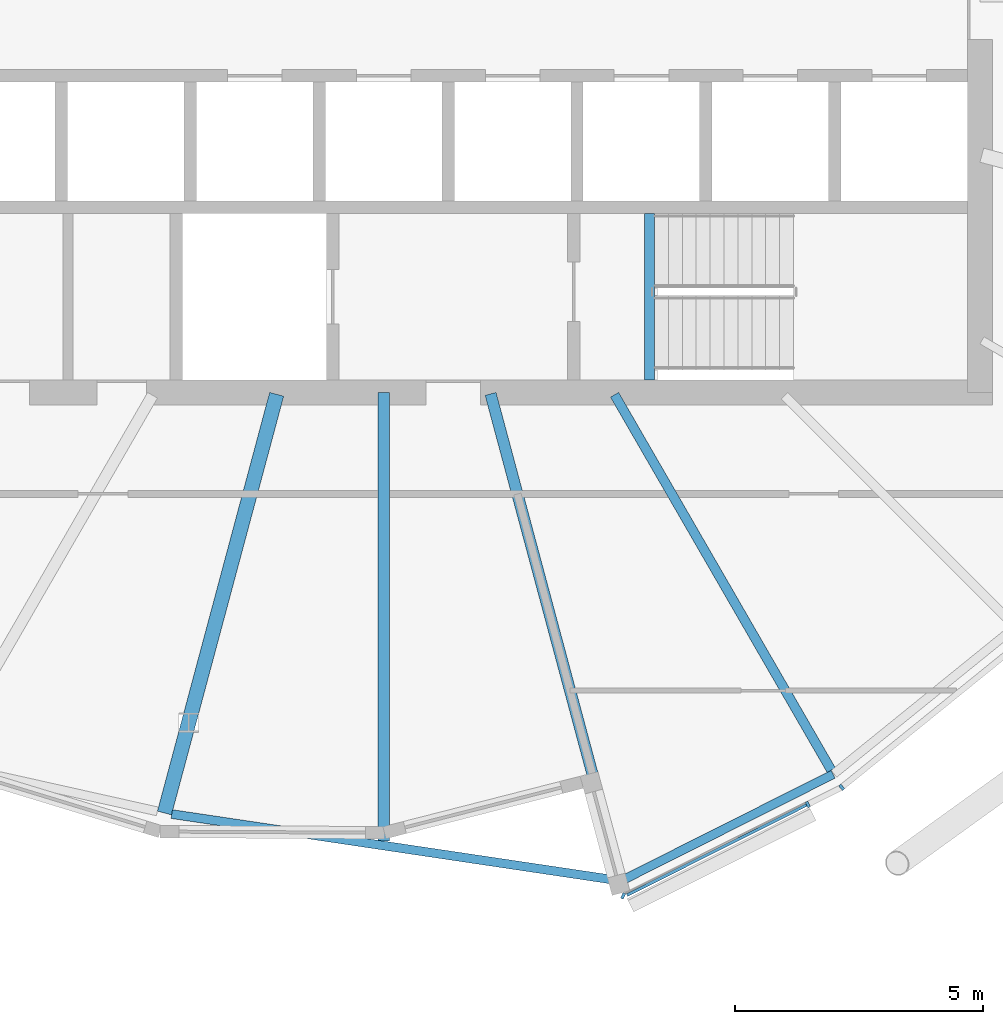
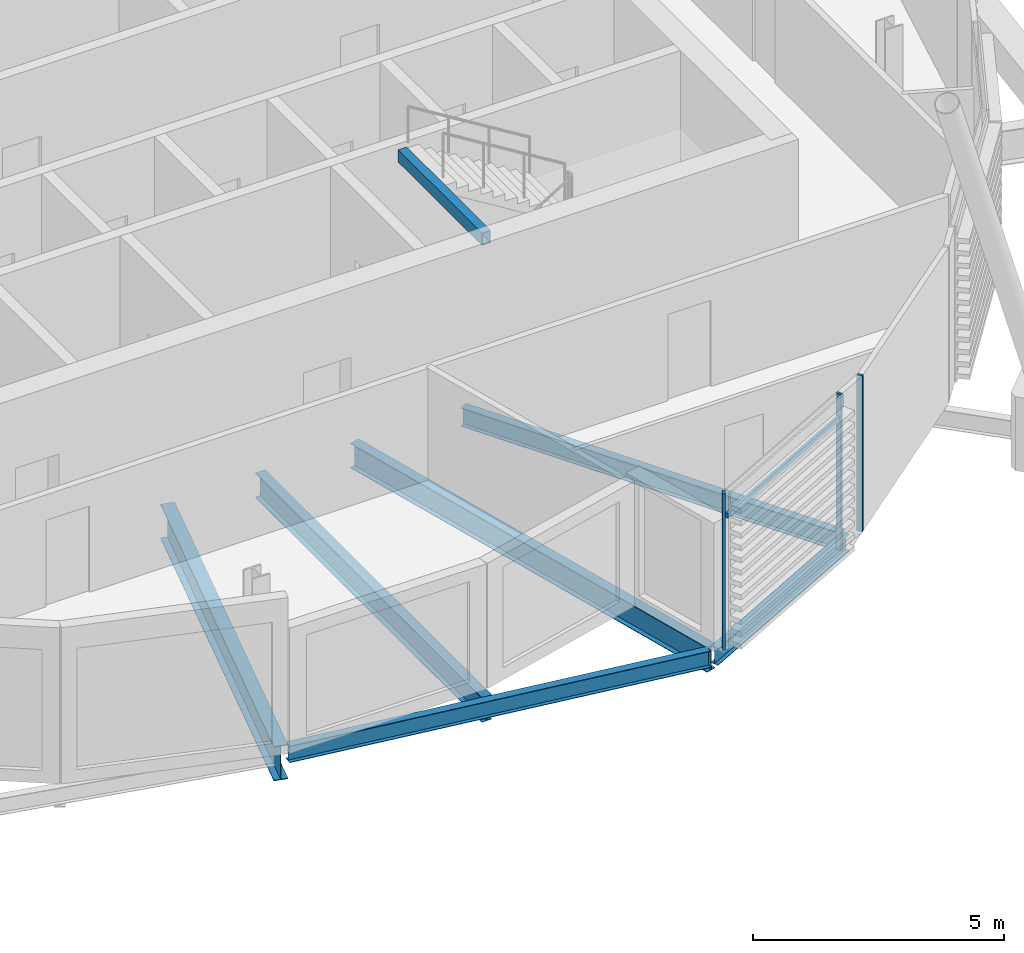
# One storey, part 11 of 32: 7 beams, 4 members, 1 element without a shape of its own.
"""IFC4 building model written with IfcOpenShell, lengths in metres."""

from ifc_helpers import new_model, si_unit, direction, frame, origin, origin_2d, place, context, subcontext, project, spatial, rectangle, hollow_rectangle, i_section, extrude, material, material_profile, profile_set, type_object, element, aggregate, save


model = new_model("IFC4")

# Units and contexts
model_context = context("Model", 3, precision=1e-05, world=origin(), true_north=direction((0.0, 1.0)))
body_context = subcontext(model_context, "Body", "Model", "MODEL_VIEW")
ifc_project = project(units=[si_unit("LENGTHUNIT", "METRE"), si_unit("AREAUNIT", "SQUARE_METRE"), si_unit("VOLUMEUNIT", "CUBIC_METRE"), si_unit("PLANEANGLEUNIT", "RADIAN"), si_unit("MASSUNIT", "GRAM", prefix="KILO")], contexts=[model_context])

# Site, building, storey
site_placement = place(None, origin())
site = spatial("IfcSite", under=ifc_project, at=site_placement, CompositionType="ELEMENT")
building_placement = place(site_placement, origin())
building = spatial("IfcBuilding", under=site, at=building_placement, Name="Rimbun Link Towers", CompositionType="ELEMENT")
storey_placement = place(building_placement, frame((0.0, 0.0, 233.300048828125)))
storey = spatial("IfcBuildingStorey", under=building, at=storey_placement, Name="L57", CompositionType="ELEMENT", Elevation=233.300048828125)

# Curtain wall, members
ifc_material_1 = material(Name="Aluminium 6063-T6 and low-iron glass", Category="aluminium")
curtain_wall_type = type_object("IfcCurtainWallType", Name="CW1-Z4 unitised vision wall (zone 4)", PredefinedType="NOTDEFINED", material=ifc_material_1)
curtain_wall_placement = place(storey_placement, origin())
curtain_wall = element("IfcCurtainWall", 1, at=curtain_wall_placement, inside=storey, type_object=curtain_wall_type, Name="CW1 L57 T2", PredefinedType="NOTDEFINED")
ifc_material_2 = material(Name="Aluminium 6063-T6", Category="aluminium")
ifc_material_profile_1 = material_profile(ifc_material_2, rectangle(XDim=0.1201171875, YDim=0.06005859375, at=origin_2d()), Name="MULLION 60X120")
ifc_profile_set_1 = profile_set([ifc_material_profile_1], Name="Aluminium 6063-T6")
member_type_1 = type_object("IfcMemberType", Name="CW1 mullion 60X120", PredefinedType="MULLION", material=ifc_profile_set_1)
member_1_placement = place(storey_placement, frame((40.28759765625, -16.2919921875, 0.0), z_axis=(0.0, 0.0, 1.0), x_axis=(0.448779041213, -0.893642754219, 0.0)))
member_1 = element("IfcMember", 2, at=member_1_placement, type_object=member_type_1, Name="CW1 mullion", PredefinedType="MULLION", context=body_context, shape_type="SweptSolid", body=[
    extrude(rectangle(XDim=0.1201171875, YDim=0.06005859375, at=origin_2d()), origin(), (0.0, 0.0, 1.0), 3.800048828125),
])
member_2_placement = place(storey_placement, frame((36.56982421875, -18.134521484375, 0.0), z_axis=(0.0, 0.0, 1.0), x_axis=(-0.409410299014, -0.912350375164, 0.0)))
member_2 = element("IfcMember", 3, at=member_2_placement, type_object=member_type_1, Name="CW1 mullion", PredefinedType="MULLION", context=body_context, shape_type="SweptSolid", body=[
    extrude(rectangle(XDim=0.1201171875, YDim=0.06005859375, at=origin_2d()), origin(), (0.0, 0.0, 1.0), 3.800048828125),
])
member_3_placement = place(storey_placement, frame((40.96875, -15.948486328125, 0.0), z_axis=(0.0, 0.0, 1.0), x_axis=(0.629148262313, -0.777285317003, 0.0)))
member_3 = element("IfcMember", 4, at=member_3_placement, type_object=member_type_1, Name="CW1 mullion", PredefinedType="MULLION", context=body_context, shape_type="SweptSolid", body=[
    extrude(rectangle(XDim=0.1201171875, YDim=0.06005859375, at=origin_2d()), origin(), (0.0, 0.0, 1.0), 3.800048828125),
])
ifc_material_3 = material(Name="Aluminium 6063-T6", Category="aluminium")
ifc_material_profile_2 = material_profile(ifc_material_3, rectangle(XDim=0.06005859375, YDim=0.1201171875, at=origin_2d()), Name="TRANSOM 60X120")
ifc_profile_set_2 = profile_set([ifc_material_profile_2], Name="Aluminium 6063-T6")
member_type_2 = type_object("IfcMemberType", Name="CW1 transom 60X120", PredefinedType="USERDEFINED", material=ifc_profile_set_2)
member_4_placement = place(storey_placement, frame((40.260009765625, -16.3037109375, 3.199951171875), z_axis=(-0.893628642312, -0.448807140807, 0.0), x_axis=(0.448807140807, -0.893628642312, 0.0)))
member_4 = element("IfcMember", 5, at=member_4_placement, type_object=member_type_2, Name="CW1 transom", ObjectType="TRANSOM", PredefinedType="USERDEFINED", context=body_context, shape_type="SweptSolid", body=[
    extrude(rectangle(XDim=0.06005859375, YDim=0.1201171875, at=origin_2d()), origin(), (0.0, 0.0, 1.0), 4.042724609375),
])
aggregate(curtain_wall, [member_1, member_2, member_3, member_4])

# Beams
ifc_material_4 = material(Name="Steel S355J2", Category="steel")
ifc_material_profile_3 = material_profile(ifc_material_4, hollow_rectangle(XDim=0.199951171875, YDim=0.300048828125, WallThickness=0.011962890625, at=origin_2d()), Name="BOX 300x200x12")
ifc_profile_set_3 = profile_set([ifc_material_profile_3], Name="Steel S355J2")
beam_type_1 = type_object("IfcBeamType", Name="Stair trimmer beam BOX 300x200x12", PredefinedType="BEAM", material=ifc_profile_set_3)
beam_1_placement = place(storey_placement, frame((37.10009765625, -7.75, 3.510009765625), z_axis=(0.0, 1.0, 0.0), x_axis=(-1.0, 0.0, 0.0)))
element("IfcBeam", 6, at=beam_1_placement, inside=storey, type_object=beam_type_1, Name="L57 ST4 stair beam 1", PredefinedType="BEAM", context=body_context, shape_type="SweptSolid", body=[
    extrude(hollow_rectangle(XDim=0.199951171875, YDim=0.300048828125, WallThickness=0.011962890625, at=origin_2d()), origin(), (0.0, 0.0, 1.0), 3.35009765625),
])
ifc_material_5 = material(Name="Steel S355J2", Category="steel")
ifc_material_profile_4 = material_profile(ifc_material_5, i_section(OverallWidth=0.177978515625, OverallDepth=0.406494140625, WebThickness=0.0078125, FlangeThickness=0.0126953125, at=origin_2d()), Name="UB 406x178x60")
ifc_profile_set_4 = profile_set([ifc_material_profile_4], Name="Steel S355J2")
beam_type_2 = type_object("IfcBeamType", Name="UB 406x178x60", PredefinedType="BEAM", material=ifc_profile_set_4)
beam_2_placement = place(storey_placement, frame((27.484619140625, -16.487548828125, -0.34326171875), z_axis=(0.989112574187, -0.147160849366, 0.0), x_axis=(0.147160849366, 0.989112574187, 0.0)))
element("IfcBeam", 7, at=beam_2_placement, inside=storey, type_object=beam_type_2, Name="Edge beam T2 L57 14-16", PredefinedType="BEAM", context=body_context, shape_type="SweptSolid", body=[
    extrude(i_section(OverallWidth=0.177978515625, OverallDepth=0.406494140625, WebThickness=0.0078125, FlangeThickness=0.0126953125, at=origin_2d()), origin(), (0.0, 0.0, 1.0), 9.018310546875),
])
beam_3_placement = place(storey_placement, frame((36.529296875, -17.832763671875, -0.34326171875), z_axis=(0.893381661321, 0.44929857246, 0.0), x_axis=(-0.44929857246, 0.893381661321, 0.0)))
element("IfcBeam", 8, at=beam_3_placement, inside=storey, type_object=beam_type_2, Name="Edge beam T2 L57 16", PredefinedType="BEAM", context=body_context, shape_type="SweptSolid", body=[
    extrude(i_section(OverallWidth=0.177978515625, OverallDepth=0.406494140625, WebThickness=0.0078125, FlangeThickness=0.0126953125, at=origin_2d()), origin(), (0.0, 0.0, 1.0), 4.774658203125),
])
ifc_material_6 = material(Name="Steel S355J2", Category="steel")
ifc_material_profile_5 = material_profile(ifc_material_6, i_section(OverallWidth=0.18994140625, OverallDepth=0.453369140625, WebThickness=0.008544921875, FlangeThickness=0.0126953125, at=origin_2d()), Name="UB 457x191x67")
ifc_profile_set_5 = profile_set([ifc_material_profile_5], Name="Steel S355J2")
beam_type_3 = type_object("IfcBeamType", Name="UB 457x191x67", PredefinedType="BEAM", material=ifc_profile_set_5)
beam_4_placement = place(storey_placement, frame((36.396728515625, -8.04833984375, -0.36669921875), z_axis=(0.500009061797, -0.86602017189, 0.0), x_axis=(0.86602017189, 0.500009061797, 0.0)))
element("IfcBeam", 9, at=beam_4_placement, inside=storey, type_object=beam_type_3, Name="Radial beam T2 L57 17", PredefinedType="BEAM", context=body_context, shape_type="SweptSolid", body=[
    extrude(i_section(OverallWidth=0.18994140625, OverallDepth=0.453369140625, WebThickness=0.008544921875, FlangeThickness=0.0126953125, at=origin_2d()), origin(), (0.0, 0.0, 1.0), 8.725341796875),
])
ifc_material_7 = material(Name="Steel S355J2", Category="steel")
ifc_material_profile_6 = material_profile(ifc_material_7, i_section(OverallWidth=0.2275390625, OverallDepth=0.6025390625, WebThickness=0.010498046875, FlangeThickness=0.014892578125, at=origin_2d()), Name="UB 610x229x101")
ifc_profile_set_6 = profile_set([ifc_material_profile_6], Name="Steel S355J2")
beam_type_4 = type_object("IfcBeamType", Name="UB 610x229x101", PredefinedType="BEAM", material=ifc_profile_set_6)
beam_5_placement = place(storey_placement, frame((31.75, -8.0009765625, -0.44140625), z_axis=(0.0, -1.0, 0.0), x_axis=(1.0, 0.0, 0.0)))
element("IfcBeam", 10, at=beam_5_placement, inside=storey, type_object=beam_type_4, Name="Radial beam T2 L57 15", PredefinedType="BEAM", context=body_context, shape_type="SweptSolid", body=[
    extrude(i_section(OverallWidth=0.2275390625, OverallDepth=0.6025390625, WebThickness=0.010498046875, FlangeThickness=0.014892578125, at=origin_2d()), origin(), (0.0, 0.0, 1.0), 9.0302734375),
])
beam_6_placement = place(storey_placement, frame((33.901611328125, -8.030517578125, -0.44140625), z_axis=(0.258838015524, -0.96592074298, 0.0), x_axis=(0.96592074298, 0.258838015524, 0.0)))
element("IfcBeam", 11, at=beam_6_placement, inside=storey, type_object=beam_type_4, Name="Radial beam T2 L57 16", PredefinedType="BEAM", context=body_context, shape_type="SweptSolid", body=[
    extrude(i_section(OverallWidth=0.2275390625, OverallDepth=0.6025390625, WebThickness=0.010498046875, FlangeThickness=0.014892578125, at=origin_2d()), origin(), (0.0, 0.0, 1.0), 10.056640625),
])
ifc_material_8 = material(Name="Steel S355J2", Category="steel")
ifc_material_profile_7 = material_profile(ifc_material_8, i_section(OverallWidth=0.29248046875, OverallDepth=0.8408203125, WebThickness=0.0126953125, FlangeThickness=0.021728515625, at=origin_2d()), Name="UB 838x292x194")
ifc_profile_set_7 = profile_set([ifc_material_profile_7], Name="Steel S355J2")
beam_type_5 = type_object("IfcBeamType", Name="UB 838x292x194", PredefinedType="BEAM", material=ifc_profile_set_7)
beam_7_placement = place(storey_placement, frame((29.595947265625, -8.038818359375, -0.560302734375), z_axis=(-0.258824207585, -0.965924442991, 0.0), x_axis=(0.965924442991, -0.258824207585, 0.0)))
element("IfcBeam", 12, at=beam_7_placement, inside=storey, type_object=beam_type_5, Name="Radial beam T2 L57 14", PredefinedType="BEAM", context=body_context, shape_type="SweptSolid", body=[
    extrude(i_section(OverallWidth=0.29248046875, OverallDepth=0.8408203125, WebThickness=0.0126953125, FlangeThickness=0.021728515625, at=origin_2d()), origin(), (0.0, 0.0, 1.0), 8.724365234375),
])

save(model, "model.ifc")
